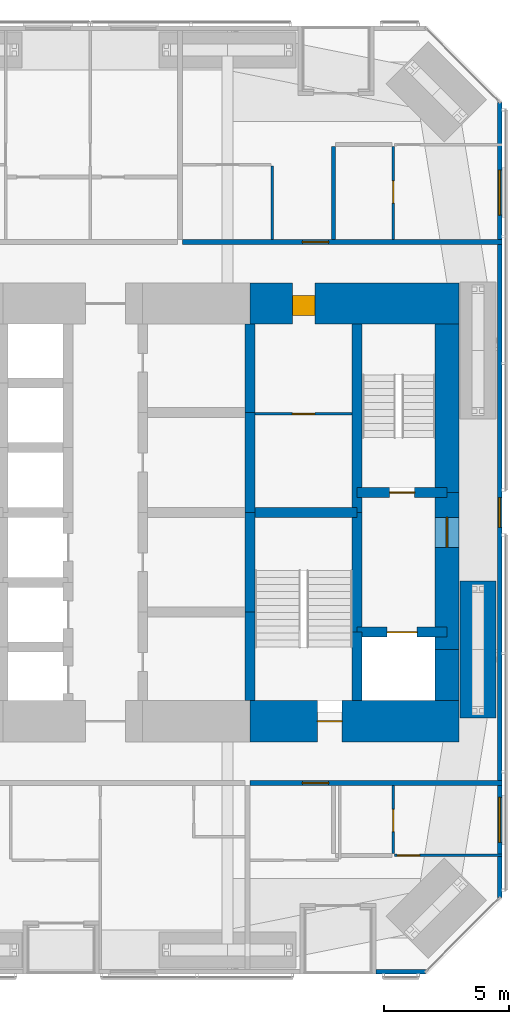
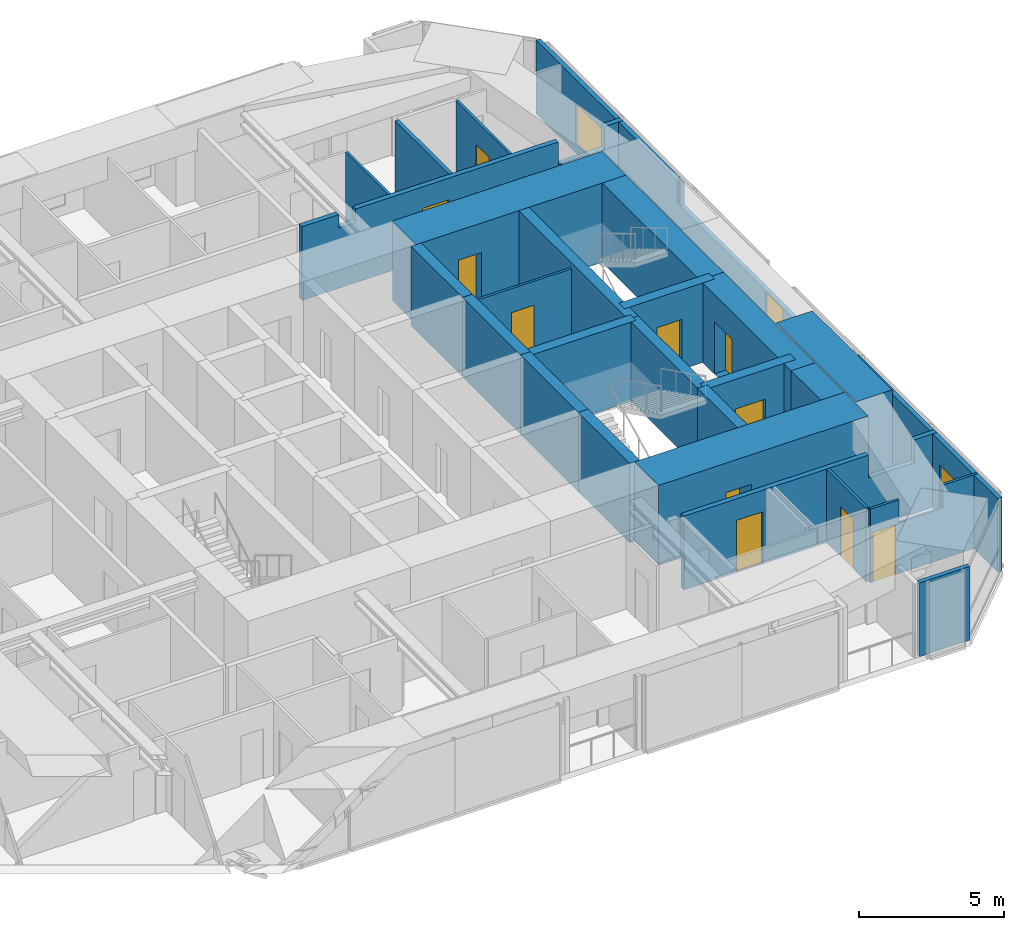
# One storey, part 21 of 24: 26 walls, 11 doors, 3 windows, 14 openings.
"""IFC4 building model written with IfcOpenShell, lengths in metres."""

import ifcopenshell
import ifcopenshell.guid

model = None  # the IFC model being written
_history = None  # IfcOwnerHistory: only IFC2X3 demands one
_inside = {}  # id of a spatial element -> (the spatial element, [elements in it])
_under = {}  # id of a project, library or spatial element -> (it, [spatial elements below it])
_declared = {}  # id of a project -> (the project, [libraries it declares])
_typed = {}  # id of a type object -> (the type object, [elements of that type])
_made_of = {}  # id of a material, layer set ... -> (it, [elements and type objects made of it])


def new_model(schema):
    """Start an empty IFC model of exactly this schema.

    Asked for "IFC4X3", IfcOpenShell would pick the latest addendum, in which some entities
    have other attributes; the version numbers below select the first issue.
    IFC2X3 requires an IfcOwnerHistory on every rooted entity: one is made here for all.
    """
    global model, _history
    if schema == "IFC4X3":
        model = ifcopenshell.file(schema_version=(4, 3, 0, 0))
    else:
        model = ifcopenshell.file(schema=schema)
    _inside.clear()
    _under.clear()
    _declared.clear()
    _typed.clear()
    _made_of.clear()
    _history = None
    if model.schema == "IFC2X3":
        org = make("IfcOrganization", Name="unknown")
        user = make(
            "IfcPersonAndOrganization",
            ThePerson=make("IfcPerson", FamilyName="unknown"),
            TheOrganization=org,
        )
        app = make(
            "IfcApplication",
            ApplicationDeveloper=org,
            Version="unknown",
            ApplicationFullName="unknown",
            ApplicationIdentifier="unknown",
        )
        _history = make(
            "IfcOwnerHistory",
            OwningUser=user,
            OwningApplication=app,
            ChangeAction="ADDED",
            CreationDate=0,
        )
    return model


def make(cls, **values):
    """One entity of the class cls with the attributes given. An attribute that is None is left unset."""
    return model.create_entity(
        cls, **{name: value for name, value in values.items() if value is not None}
    )


def rooted(cls, **values):
    """An entity with a GlobalId (a new one), such as an element, a storey or a relation."""
    return make(cls, GlobalId=ifcopenshell.guid.new(), OwnerHistory=_history, **values)


def si_unit(unit_type, name, prefix=None):
    """IfcSIUnit, for example si_unit("LENGTHUNIT", "METRE", prefix="MILLI")."""
    return make("IfcSIUnit", UnitType=unit_type, Prefix=prefix, Name=name)


def assignment(units):
    """IfcUnitAssignment: the units of a project."""
    return None if units is None else make("IfcUnitAssignment", Units=units)


def point(xyz):
    """IfcCartesianPoint."""
    return None if xyz is None else make("IfcCartesianPoint", Coordinates=xyz)


def direction(xyz):
    """IfcDirection."""
    return None if xyz is None else make("IfcDirection", DirectionRatios=xyz)


def frame(location, z_axis=None, x_axis=None):
    """IfcAxis2Placement3D, a coordinate frame: its origin and axes. An axis left out is left unset."""
    return make(
        "IfcAxis2Placement3D",
        Location=point(location),
        Axis=direction(z_axis),
        RefDirection=direction(x_axis),
    )


def frame_2d(location, x_axis=None):
    """IfcAxis2Placement2D, a coordinate frame in the plane: its origin and x axis."""
    return make(
        "IfcAxis2Placement2D", Location=point(location), RefDirection=direction(x_axis)
    )


def origin():
    """The frame at (0, 0, 0) with its axes left unset."""
    return frame((0.0, 0.0, 0.0))


def place(relative_to, where):
    """IfcLocalPlacement: puts the frame where relative to a parent placement (None: the world)."""
    return make(
        "IfcLocalPlacement", PlacementRelTo=relative_to, RelativePlacement=where
    )


def context(
    kind, dimensions, precision=None, world=None, true_north=None, identifier=None
):
    """IfcGeometricRepresentationContext, for example the 3D "Model" context."""
    return make(
        "IfcGeometricRepresentationContext",
        ContextIdentifier=identifier,
        ContextType=kind,
        CoordinateSpaceDimension=dimensions,
        Precision=precision,
        WorldCoordinateSystem=world,
        TrueNorth=true_north,
    )


def subcontext(parent, identifier, kind, view, scale=None):
    """IfcGeometricRepresentationSubContext, for example "Body" below "Model"."""
    return make(
        "IfcGeometricRepresentationSubContext",
        ContextIdentifier=identifier,
        ContextType=kind,
        ParentContext=parent,
        TargetScale=scale,
        TargetView=view,
    )


def project(units=None, contexts=None):
    """IfcProject with its units and contexts."""
    return rooted(
        "IfcProject",
        Name="project",
        RepresentationContexts=contexts,
        UnitsInContext=assignment(units),
    )


def spatial(cls, under=None, at=None, **own):
    """A site, building, storey or space (cls), placed at a placement, below another one or the project."""
    s = rooted(cls, ObjectPlacement=at, **own)
    if under is not None:
        _under.setdefault(under.id(), (under, []))[1].append(s)
    return s


def polyline(points):
    """IfcPolyline through the points."""
    return make("IfcPolyline", Points=[point(p) for p in points])


def profile(cls, at=None, kind="AREA", **sizes):
    """A parametric profile (cls). Its sizes go by their IFC names, for example OverallWidth=200.0."""
    return make(cls, ProfileType=kind, Position=at, **sizes)


def rectangle(**sizes):
    """IfcRectangleProfileDef."""
    return profile("IfcRectangleProfileDef", **sizes)


def outline(outer, holes=None, kind="AREA"):
    """IfcArbitraryClosedProfileDef: a profile drawn as a closed curve; with holes, ...WithVoids."""
    if holes is None:
        return make("IfcArbitraryClosedProfileDef", ProfileType=kind, OuterCurve=outer)
    return make(
        "IfcArbitraryProfileDefWithVoids",
        ProfileType=kind,
        OuterCurve=outer,
        InnerCurves=holes,
    )


def extrude(swept, where, along, depth):
    """IfcExtrudedAreaSolid: the profile swept, set in the frame where, extruded along a direction by depth."""
    return make(
        "IfcExtrudedAreaSolid",
        SweptArea=swept,
        Position=where,
        ExtrudedDirection=direction(along),
        Depth=depth,
    )


def shape(context_of_items, identifier, shape_type, items):
    """IfcShapeRepresentation: the items that make up one representation, for example the "Body"."""
    return make(
        "IfcShapeRepresentation",
        ContextOfItems=context_of_items,
        RepresentationIdentifier=identifier,
        RepresentationType=shape_type,
        Items=items,
    )


def material(Name=None, Category=None):
    """IfcMaterial."""
    return make("IfcMaterial", Name=Name, Category=Category)


def layer(
    of_material, thickness, ventilated=None, Name=None, Category=None, Priority=None
):
    """IfcMaterialLayer: one layer of a wall or slab, of a material (None: an air gap)."""
    return make(
        "IfcMaterialLayer",
        Material=of_material,
        LayerThickness=thickness,
        IsVentilated=ventilated,
        Name=Name,
        Category=Category,
        Priority=Priority,
    )


def layer_set(layers, Name=None):
    """IfcMaterialLayerSet."""
    return make("IfcMaterialLayerSet", MaterialLayers=layers, LayerSetName=Name)


def constituent(of_material, Name=None, Category=None, fraction=None):
    """IfcMaterialConstituent: one of the materials an element consists of."""
    return make(
        "IfcMaterialConstituent",
        Name=Name,
        Material=of_material,
        Fraction=fraction,
        Category=Category,
    )


def constituent_set(constituents=None, Name=None):
    """IfcMaterialConstituentSet."""
    return make(
        "IfcMaterialConstituentSet", Name=Name, MaterialConstituents=constituents
    )


def made_of(thing, what):
    """Note that an element or type object is made of a material, layer set ...; save() writes the relation."""
    if what is not None:
        _made_of.setdefault(what.id(), (what, []))[1].append(thing)
    return thing


def type_object(cls, material=None, **own):
    """A type object (cls), such as IfcWallType, which elements share."""
    return made_of(rooted(cls, **own), material)


def element(
    cls,
    number,
    at=None,
    inside=None,
    cuts=None,
    type_object=None,
    material=None,
    context=None,
    identifier="Body",
    shape_type=None,
    held_by="IfcProductDefinitionShape",
    body=None,
    shapes=None,
    **own,
):
    """One element of the class cls, such as IfcWall. Its Tag is "e" and its number.

    at: its placement. inside: the storey or other place that contains it. cuts: it is an
    opening in that element (IfcRelVoidsElement). A single representation is given by context,
    identifier, shape_type and body (its items); several are given by shapes. held_by: the class
    of the entity that holds the representations. save() writes the other relations.
    """
    e = rooted(cls, Tag="e%d" % number, ObjectPlacement=at, **own)
    if body is not None:
        shapes = [shape(context, identifier, shape_type, body)]
    if shapes is not None:
        e.Representation = make(held_by, Representations=shapes)
    if inside is not None:
        _inside.setdefault(inside.id(), (inside, []))[1].append(e)
    if cuts is not None:
        rooted(
            "IfcRelVoidsElement", RelatingBuildingElement=cuts, RelatedOpeningElement=e
        )
    if type_object is not None:
        _typed.setdefault(type_object.id(), (type_object, []))[1].append(e)
    return made_of(e, material)


def fill(opening, filler):
    """IfcRelFillsElement: the door or window that sits in an opening."""
    return rooted(
        "IfcRelFillsElement",
        RelatingOpeningElement=opening,
        RelatedBuildingElement=filler,
    )


def aggregate(whole, parts):
    """IfcRelAggregates: a whole, such as a stair, and the parts it consists of."""
    return rooted("IfcRelAggregates", RelatingObject=whole, RelatedObjects=parts)


def save(model, path):
    """Write the relations noted so far, then the file.

    IfcRelAggregates (storeys below a building ...), IfcRelContainedInSpatialStructure (elements
    in a storey), IfcRelDefinesByType, IfcRelAssociatesMaterial and IfcRelDeclares: one each for
    every whole, place, type object, material and project.
    """
    for whole, parts in _under.values():
        aggregate(whole, parts)
    for where, things in _inside.values():
        rooted(
            "IfcRelContainedInSpatialStructure",
            RelatedElements=things,
            RelatingStructure=where,
        )
    for kind, things in _typed.values():
        rooted("IfcRelDefinesByType", RelatedObjects=things, RelatingType=kind)
    for what, things in _made_of.values():
        rooted("IfcRelAssociatesMaterial", RelatedObjects=things, RelatingMaterial=what)
    for by, libraries in _declared.values():
        rooted("IfcRelDeclares", RelatingContext=by, RelatedDefinitions=libraries)
    model.write(path)


model = new_model("IFC4")

# Units and contexts
model_context = context("Model", 3, precision=1e-05, world=origin(), true_north=direction((0.0, 1.0)))
body_context = subcontext(model_context, "Body", "Model", "MODEL_VIEW")
ifc_project = project(units=[si_unit("LENGTHUNIT", "METRE"), si_unit("AREAUNIT", "SQUARE_METRE"), si_unit("VOLUMEUNIT", "CUBIC_METRE"), si_unit("PLANEANGLEUNIT", "RADIAN"), si_unit("MASSUNIT", "GRAM", prefix="KILO")], contexts=[model_context])

# Site, building, storey
site_placement = place(None, origin())
site = spatial("IfcSite", under=ifc_project, at=site_placement, CompositionType="ELEMENT")
building_placement = place(site_placement, origin())
building = spatial("IfcBuilding", under=site, at=building_placement, Name="Jalousie Tower", CompositionType="ELEMENT")
storey_placement = place(building_placement, frame((0.0, 0.0, 54.5)))
storey = spatial("IfcBuildingStorey", under=building, at=storey_placement, Name="L14", CompositionType="ELEMENT", Elevation=54.5)

# Wall
ifc_material_1 = material(Name="Concrete block ASTM C90", Category="concrete")
ifc_constituent_1 = constituent(ifc_material_1, Name="Body")
ifc_material_2 = material(Name="Render")
ifc_constituent_2 = constituent(ifc_material_2, Name="Finish")
ifc_constituent_set_1 = constituent_set(constituents=[ifc_constituent_1, ifc_constituent_2])
wall_type_1 = type_object("IfcWallType", Name="BATHROOM WALL 150", PredefinedType="PLUMBINGWALL", material=ifc_constituent_set_1)
wall_1_placement = place(storey_placement, frame((39.25, 33.17822265625, 0.0), z_axis=(0.0, 0.0, 1.0), x_axis=(0.0, -1.0, 0.0)))
element("IfcWall", 1, at=wall_1_placement, inside=storey, type_object=wall_type_1, Name="Bathroom Wall 150 L14", PredefinedType="PLUMBINGWALL", context=body_context, shape_type="SweptSolid", body=[
    extrude(rectangle(XDim=3.728271484375, YDim=0.14990234375, at=frame_2d((1.8642578125, 0.0))), origin(), (0.0, 0.0, 1.0), 3.110107421875),
])

# Wall, opening, door
ifc_material_3 = material(Name="Concrete f'c 120 MPa", Category="concrete")
ifc_layer_1 = layer(ifc_material_3, 1.64990234375)
ifc_layer_set_1 = layer_set([ifc_layer_1], Name="Concrete f'c 120 MPa")
wall_type_2 = type_object("IfcWallType", Name="CORE WALL 1650", PredefinedType="SHEAR", material=ifc_layer_set_1)
wall_2_placement = place(storey_placement, frame((35.89990234375, 10.125, 0.0), z_axis=(0.0, 0.0, 1.0), x_axis=(1.0, 0.0, 0.0)))
wall_2 = element("IfcWall", 2, at=wall_2_placement, inside=storey, type_object=wall_type_2, Name="Core wall SD L14", PredefinedType="SHEAR", context=body_context, shape_type="SweptSolid", body=[
    extrude(rectangle(XDim=8.375, YDim=1.64990234375, at=frame_2d((4.1875, 0.0))), origin(), (0.0, 0.0, 1.0), 3.35009765625),
])
opening_1_placement = place(wall_2_placement, frame((2.699951171875, 0.0, 0.0)))
opening_1 = element("IfcOpeningElement", 3, at=opening_1_placement, cuts=wall_2, Name="Opening D10", PredefinedType="OPENING", context=body_context, shape_type="SweptSolid", body=[
    extrude(rectangle(XDim=1.0, YDim=2.10009765625, at=frame_2d((0.5, 1.050048828125))), frame((0.0, 0.8349609375, 0.0), z_axis=(0.0, -1.0, 0.0), x_axis=(1.0, 0.0, 0.0)), (0.0, 0.0, 1.0), 1.669921875),
])
ifc_material_4 = material(Name="Steel fire door", Category="steel")
door_type_1 = type_object("IfcDoorType", Name="STAIR DOOR 1000", OperationType="SINGLE_SWING_LEFT", PredefinedType="DOOR", material=ifc_material_4)
door_1_placement = place(opening_1_placement, origin())
door_1 = element("IfcDoor", 4, at=door_1_placement, inside=storey, type_object=door_type_1, Name="Exit stair C door", OperationType="SINGLE_SWING_RIGHT", OverallHeight=2.10009765625, OverallWidth=1.0, PredefinedType="DOOR", context=body_context, shape_type="SweptSolid", body=[
    extrude(rectangle(XDim=1.0, YDim=2.10009765625, at=frame_2d((0.5, 1.050048828125))), frame((0.0, 0.02490234375, 0.0), z_axis=(0.0, -1.0, 0.0), x_axis=(1.0, 0.0, 0.0)), (0.0, 0.0, 1.0), 0.050048828125),
])
fill(opening_1, door_1)

wall_3_placement = place(storey_placement, frame((44.27490234375, 26.875, 0.0), z_axis=(0.0, 0.0, 1.0), x_axis=(-1.0, 0.0, 0.0)))
wall_3 = element("IfcWall", 5, at=wall_3_placement, inside=storey, type_object=wall_type_2, Name="Core wall NA L14", PredefinedType="SHEAR", context=body_context, shape_type="SweptSolid", body=[
    extrude(rectangle(XDim=8.375, YDim=1.64990234375, at=frame_2d((4.1875, 0.0))), origin(), (0.0, 0.0, 1.0), 3.35009765625),
])
opening_2_placement = place(wall_3_placement, frame((5.77490234375, 0.0, 0.0)))
opening_2 = element("IfcOpeningElement", 6, at=opening_2_placement, cuts=wall_3, Name="Opening D26", PredefinedType="OPENING", context=body_context, shape_type="SweptSolid", body=[
    extrude(rectangle(XDim=0.89990234375, YDim=2.10009765625, at=frame_2d((0.449951171875, 1.050048828125))), frame((0.0, 0.8349609375, 0.0), z_axis=(0.0, -1.0, 0.0), x_axis=(1.0, 0.0, 0.0)), (0.0, 0.0, 1.0), 1.669921875),
])
ifc_material_5 = material(Name="Steel fire door", Category="steel")
door_type_2 = type_object("IfcDoorType", Name="HOUSEKEEPING STORE DOOR 900", OperationType="SINGLE_SWING_LEFT", PredefinedType="DOOR", material=ifc_material_5)
door_2_placement = place(opening_2_placement, origin())
door_2 = element("IfcDoor", 7, at=door_2_placement, inside=storey, type_object=door_type_2, Name="Housekeeping store door", OperationType="SINGLE_SWING_RIGHT", OverallHeight=2.10009765625, OverallWidth=0.89990234375, PredefinedType="DOOR", context=body_context, shape_type="SweptSolid", body=[
    extrude(rectangle(XDim=0.89990234375, YDim=2.10009765625, at=frame_2d((0.449951171875, 1.050048828125))), frame((0.0, 0.47021484375, 0.0), z_axis=(0.0, -1.0, 0.0), x_axis=(1.0, 0.0, 0.0)), (0.0, 0.0, 1.0), 0.800048828125),
])
fill(opening_2, door_2)

# Walls
ifc_material_6 = material(Name="Concrete f'c 120 MPa", Category="concrete")
ifc_layer_2 = layer(ifc_material_6, 0.39990234375)
ifc_layer_set_2 = layer_set([ifc_layer_2], Name="Concrete f'c 120 MPa")
wall_type_3 = type_object("IfcWallType", Name="CORE WALL 400", PredefinedType="SHEAR", material=ifc_layer_set_2)
wall_4_placement = place(storey_placement, frame((35.89990234375, 10.949951171875, 0.0), z_axis=(0.0, 0.0, 1.0), x_axis=(0.0, 1.0, 0.0)))
element("IfcWall", 8, at=wall_4_placement, inside=storey, type_object=wall_type_3, Name="Core wall X35.9A L14", PredefinedType="SHEAR", context=body_context, shape_type="SweptSolid", body=[
    extrude(rectangle(XDim=3.550048828125, YDim=0.39990234375, at=frame_2d((1.77490234375, 0.0))), origin(), (0.0, 0.0, 1.0), 3.35009765625),
])
for number, where, z_axis, x_axis, name in (
    (9, (35.89990234375, 14.5, 0.0), (0.0, 0.0, 1.0), (0.0, 1.0, 0.0), "Core wall X35.9B L14"),
    (10, (35.89990234375, 18.5, 0.0), (0.0, 0.0, 1.0), (0.0, 1.0, 0.0), "Core wall X35.9C L14"),
):
    element("IfcWall", number, at=place(storey_placement, frame(where, z_axis=z_axis, x_axis=x_axis)), inside=storey, type_object=wall_type_3, Name=name, PredefinedType="SHEAR", context=body_context, shape_type="SweptSolid", body=[
        extrude(rectangle(XDim=4.0, YDim=0.39990234375, at=frame_2d((2.0, 0.0))), origin(), (0.0, 0.0, 1.0), 3.35009765625),
    ])
wall_5_placement = place(storey_placement, frame((35.89990234375, 22.5, 0.0), z_axis=(0.0, 0.0, 1.0), x_axis=(0.0, 1.0, 0.0)))
element("IfcWall", 11, at=wall_5_placement, inside=storey, type_object=wall_type_3, Name="Core wall X35.9D L14", PredefinedType="SHEAR", context=body_context, shape_type="SweptSolid", body=[
    extrude(rectangle(XDim=3.550048828125, YDim=0.39990234375, at=frame_2d((1.77490234375, 0.0))), origin(), (0.0, 0.0, 1.0), 3.35009765625),
])
wall_6_placement = place(storey_placement, frame((40.199951171875, 10.949951171875, 0.0), z_axis=(0.0, 0.0, 1.0), x_axis=(0.0, 1.0, 0.0)))
element("IfcWall", 12, at=wall_6_placement, inside=storey, type_object=wall_type_3, Name="Core wall X40.2A L14", PredefinedType="SHEAR", context=body_context, shape_type="SweptSolid", body=[
    extrude(rectangle(XDim=2.75, YDim=0.39990234375, at=frame_2d((1.375, 0.0))), origin(), (0.0, 0.0, 1.0), 3.35009765625),
])
wall_7_placement = place(storey_placement, frame((40.199951171875, 13.699951171875, 0.0), z_axis=(0.0, 0.0, 1.0), x_axis=(0.0, 1.0, 0.0)))
element("IfcWall", 13, at=wall_7_placement, inside=storey, type_object=wall_type_3, Name="Core wall X40.2B L14", PredefinedType="SHEAR", context=body_context, shape_type="SweptSolid", body=[
    extrude(rectangle(XDim=4.800048828125, YDim=0.39990234375, at=frame_2d((2.39990234375, 0.0))), origin(), (0.0, 0.0, 1.0), 3.35009765625),
])
wall_8_placement = place(storey_placement, frame((40.199951171875, 18.5, 0.0), z_axis=(0.0, 0.0, 1.0), x_axis=(0.0, 1.0, 0.0)))
element("IfcWall", 14, at=wall_8_placement, inside=storey, type_object=wall_type_3, Name="Core wall X40.2C L14", PredefinedType="SHEAR", context=body_context, shape_type="SweptSolid", body=[
    extrude(rectangle(XDim=7.550048828125, YDim=0.39990234375, at=frame_2d((3.77490234375, 0.0))), origin(), (0.0, 0.0, 1.0), 3.35009765625),
])
wall_9_placement = place(storey_placement, frame((35.89990234375, 18.5, 0.0), z_axis=(0.0, 0.0, 1.0), x_axis=(1.0, 0.0, 0.0)))
element("IfcWall", 15, at=wall_9_placement, inside=storey, type_object=wall_type_3, Name="Core wall Y35.9-18.5 L14", PredefinedType="SHEAR", context=body_context, shape_type="SweptSolid", body=[
    extrude(rectangle(XDim=4.300048828125, YDim=0.39990234375, at=frame_2d((2.14990234375, 0.0))), origin(), (0.0, 0.0, 1.0), 3.35009765625),
])

# Wall, opening, door
wall_10_placement = place(storey_placement, frame((40.199951171875, 13.699951171875, 0.0), z_axis=(0.0, 0.0, 1.0), x_axis=(1.0, 0.0, 0.0)))
wall_10 = element("IfcWall", 16, at=wall_10_placement, inside=storey, type_object=wall_type_3, Name="Core wall Y40.2-13.7 L14", PredefinedType="SHEAR", context=body_context, shape_type="SweptSolid", body=[
    extrude(rectangle(XDim=3.60009765625, YDim=0.39990234375, at=frame_2d((1.800048828125, 0.0))), origin(), (0.0, 0.0, 1.0), 3.35009765625),
])
opening_3_placement = place(wall_10_placement, frame((1.199951171875, 0.0, 0.0)))
opening_3 = element("IfcOpeningElement", 17, at=opening_3_placement, cuts=wall_10, Name="Opening LD2", PredefinedType="OPENING", context=body_context, shape_type="SweptSolid", body=[
    extrude(rectangle(XDim=1.199951171875, YDim=2.10009765625, at=frame_2d((0.60009765625, 1.050048828125))), frame((0.0, 0.2099609375, 0.0), z_axis=(0.0, -1.0, 0.0), x_axis=(1.0, 0.0, 0.0)), (0.0, 0.0, 1.0), 0.419921875),
])
ifc_material_7 = material(Name="Steel lift landing door", Category="steel")
door_type_3 = type_object("IfcDoorType", Name="LIFT LANDING DOOR 1200", OperationType="SLIDING_TO_LEFT", PredefinedType="DOOR", material=ifc_material_7)
door_3_placement = place(opening_3_placement, origin())
door_3 = element("IfcDoor", 18, at=door_3_placement, inside=storey, type_object=door_type_3, Name="Lift F2 landing door", OperationType="SLIDING_TO_LEFT", OverallHeight=2.10009765625, OverallWidth=1.199951171875, PredefinedType="DOOR", context=body_context, shape_type="SweptSolid", body=[
    extrude(rectangle(XDim=1.199951171875, YDim=2.10009765625, at=frame_2d((0.60009765625, 1.050048828125))), frame((0.0, 0.02490234375, 0.0), z_axis=(0.0, -1.0, 0.0), x_axis=(1.0, 0.0, 0.0)), (0.0, 0.0, 1.0), 0.050048828125),
])
fill(opening_3, door_3)

wall_11_placement = place(storey_placement, frame((40.199951171875, 19.300048828125, 0.0), z_axis=(0.0, 0.0, 1.0), x_axis=(1.0, 0.0, 0.0)))
wall_11 = element("IfcWall", 19, at=wall_11_placement, inside=storey, type_object=wall_type_3, Name="Core wall Y40.2-19.3 L14", PredefinedType="SHEAR", context=body_context, shape_type="SweptSolid", body=[
    extrude(rectangle(XDim=3.60009765625, YDim=0.39990234375, at=frame_2d((1.800048828125, 0.0))), origin(), (0.0, 0.0, 1.0), 3.35009765625),
])
opening_4_placement = place(wall_11_placement, frame((1.300048828125, 0.0, 0.0)))
opening_4 = element("IfcOpeningElement", 20, at=opening_4_placement, cuts=wall_11, Name="Opening D10", PredefinedType="OPENING", context=body_context, shape_type="SweptSolid", body=[
    extrude(rectangle(XDim=1.0, YDim=2.10009765625, at=frame_2d((0.5, 1.050048828125))), frame((0.0, 0.2099609375, 0.0), z_axis=(0.0, -1.0, 0.0), x_axis=(1.0, 0.0, 0.0)), (0.0, 0.0, 1.0), 0.419921875),
])
door_4_placement = place(opening_4_placement, origin())
door_4 = element("IfcDoor", 21, at=door_4_placement, inside=storey, type_object=door_type_1, Name="Exit stair B door", OperationType="SINGLE_SWING_RIGHT", OverallHeight=2.10009765625, OverallWidth=1.0, PredefinedType="DOOR", context=body_context, shape_type="SweptSolid", body=[
    extrude(rectangle(XDim=1.0, YDim=2.10009765625, at=frame_2d((0.5, 1.050048828125))), frame((0.0, 0.02490234375, 0.0), z_axis=(0.0, -1.0, 0.0), x_axis=(1.0, 0.0, 0.0)), (0.0, 0.0, 1.0), 0.050048828125),
])
fill(opening_4, door_4)

# Wall
ifc_material_8 = material(Name="Concrete f'c 120 MPa", Category="concrete")
ifc_layer_3 = layer(ifc_material_8, 0.949951171875)
ifc_layer_set_3 = layer_set([ifc_layer_3], Name="Concrete f'c 120 MPa")
wall_type_4 = type_object("IfcWallType", Name="CORE WALL 950", PredefinedType="SHEAR", material=ifc_layer_set_3)
wall_12_placement = place(storey_placement, frame((43.800048828125, 10.949951171875, 0.0), z_axis=(0.0, 0.0, 1.0), x_axis=(0.0, 1.0, 0.0)))
element("IfcWall", 22, at=wall_12_placement, inside=storey, type_object=wall_type_4, Name="Core wall EA L14", PredefinedType="SHEAR", context=body_context, shape_type="SweptSolid", body=[
    extrude(rectangle(XDim=2.050048828125, YDim=0.949951171875, at=frame_2d((1.02490234375, 0.0))), origin(), (0.0, 0.0, 1.0), 3.35009765625),
])

# Wall, opening, door
wall_13_placement = place(storey_placement, frame((43.800048828125, 13.0, 0.0), z_axis=(0.0, 0.0, 1.0), x_axis=(0.0, 1.0, 0.0)))
wall_13 = element("IfcWall", 23, at=wall_13_placement, inside=storey, type_object=wall_type_4, Name="Core wall EB L14", PredefinedType="SHEAR", context=body_context, shape_type="SweptSolid", body=[
    extrude(rectangle(XDim=6.300048828125, YDim=0.949951171875, at=frame_2d((3.14990234375, 0.0))), origin(), (0.0, 0.0, 1.0), 3.35009765625),
])
opening_5_placement = place(wall_13_placement, frame((4.10009765625, 0.0, 0.0)))
opening_5 = element("IfcOpeningElement", 24, at=opening_5_placement, cuts=wall_13, Name="Opening D11", PredefinedType="OPENING", context=body_context, shape_type="SweptSolid", body=[
    extrude(rectangle(XDim=1.199951171875, YDim=2.199951171875, at=frame_2d((0.60009765625, 1.10009765625))), frame((0.0, 0.48486328125, 0.0), z_axis=(0.0, -1.0, 0.0), x_axis=(1.0, 0.0, 0.0)), (0.0, 0.0, 1.0), 0.969970703125),
])
ifc_material_9 = material(Name="Steel fire door", Category="steel")
door_type_4 = type_object("IfcDoorType", Name="FIRE DOOR 1200", OperationType="SINGLE_SWING_LEFT", PredefinedType="DOOR", material=ifc_material_9)
door_5_placement = place(opening_5_placement, origin())
door_5 = element("IfcDoor", 25, at=door_5_placement, inside=storey, type_object=door_type_4, Name="Fire-fighting lobby B door", OperationType="SINGLE_SWING_RIGHT", OverallHeight=2.199951171875, OverallWidth=1.199951171875, PredefinedType="DOOR", context=body_context, shape_type="SweptSolid", body=[
    extrude(rectangle(XDim=1.199951171875, YDim=2.199951171875, at=frame_2d((0.60009765625, 1.10009765625))), frame((0.0, 0.02490234375, 0.0), z_axis=(0.0, -1.0, 0.0), x_axis=(1.0, 0.0, 0.0)), (0.0, 0.0, 1.0), 0.050048828125),
])
fill(opening_5, door_5)

# Wall
wall_14_placement = place(storey_placement, frame((43.800048828125, 19.300048828125, 0.0), z_axis=(0.0, 0.0, 1.0), x_axis=(0.0, 1.0, 0.0)))
element("IfcWall", 26, at=wall_14_placement, inside=storey, type_object=wall_type_4, Name="Core wall EC L14", PredefinedType="SHEAR", context=body_context, shape_type="SweptSolid", body=[
    extrude(rectangle(XDim=6.75, YDim=0.949951171875, at=frame_2d((3.375, 0.0))), origin(), (0.0, 0.0, 1.0), 3.35009765625),
])

# Wall, opening, door
ifc_material_10 = material(Name="Concrete block ASTM C90", Category="concrete")
ifc_constituent_3 = constituent(ifc_material_10, Name="Body")
ifc_material_11 = material(Name="Render")
ifc_constituent_4 = constituent(ifc_material_11, Name="Finish")
ifc_constituent_set_2 = constituent_set(constituents=[ifc_constituent_3, ifc_constituent_4])
wall_type_5 = type_object("IfcWallType", Name="CORRIDOR WALL 200", PredefinedType="PARTITIONING", material=ifc_constituent_set_2)
wall_15_placement = place(storey_placement, frame((35.89990234375, 7.64990234375, 0.0), z_axis=(0.0, 0.0, 1.0), x_axis=(1.0, 0.0, 0.0)))
wall_15 = element("IfcWall", 27, at=wall_15_placement, inside=storey, type_object=wall_type_5, Name="Corridor Wall 200 L14", PredefinedType="PARTITIONING", context=body_context, shape_type="SweptSolid", body=[
    extrude(outline(polyline([(0.0, 0.0), (10.10009765625, 0.0), (10.10009765625, 3.110107421875), (9.204345703125, 3.110107421875), (9.204345703125, 2.14990234375), (7.360595703125, 2.14990234375), (7.360595703125, 3.110107421875), (0.0, 3.110107421875), (0.0, 0.0)])), frame((0.0, 0.10009765625, 0.0), z_axis=(0.0, -1.0, 0.0), x_axis=(1.0, 0.0, 0.0)), (0.0, 0.0, 1.0), 0.199951171875),
])
opening_6_placement = place(wall_15_placement, frame((2.10009765625, 0.0, 0.0)))
opening_6 = element("IfcOpeningElement", 28, at=opening_6_placement, cuts=wall_15, Name="Opening D1", PredefinedType="OPENING", context=body_context, shape_type="SweptSolid", body=[
    extrude(rectangle(XDim=1.050048828125, YDim=2.199951171875, at=frame_2d((0.52490234375, 1.10009765625))), frame((0.0, 0.10986328125, 0.0), z_axis=(0.0, -1.0, 0.0), x_axis=(1.0, 0.0, 0.0)), (0.0, 0.0, 1.0), 0.219970703125),
])
ifc_material_12 = material(Name="Timber fire door", Category="wood")
door_type_5 = type_object("IfcDoorType", Name="APARTMENT ENTRANCE DOOR 1050", OperationType="SINGLE_SWING_LEFT", PredefinedType="DOOR", material=ifc_material_12)
door_6_placement = place(opening_6_placement, frame((1.050048828125, 0.0, 0.0), z_axis=(0.0, 0.0, 1.0), x_axis=(-1.0, 0.0, 0.0)))
door_6 = element("IfcDoor", 29, at=door_6_placement, inside=storey, type_object=door_type_5, Name="Apartment 1402 entrance", OperationType="SINGLE_SWING_LEFT", OverallHeight=2.199951171875, OverallWidth=1.050048828125, PredefinedType="DOOR", context=body_context, shape_type="SweptSolid", body=[
    extrude(rectangle(XDim=1.050048828125, YDim=2.199951171875, at=frame_2d((0.52490234375, 1.10009765625))), frame((0.0, 0.02490234375, 0.0), z_axis=(0.0, -1.0, 0.0), x_axis=(1.0, 0.0, 0.0)), (0.0, 0.0, 1.0), 0.050048828125),
])
fill(opening_6, door_6)

wall_16_placement = place(storey_placement, frame((33.199951171875, 29.35009765625, 0.0), z_axis=(0.0, 0.0, 1.0), x_axis=(1.0, 0.0, 0.0)))
wall_16 = element("IfcWall", 30, at=wall_16_placement, inside=storey, type_object=wall_type_5, Name="Corridor Wall 200 L14", PredefinedType="PARTITIONING", context=body_context, shape_type="SweptSolid", body=[
    extrude(outline(polyline([(0.0, 0.0), (12.800048828125, 0.0), (12.800048828125, 3.110107421875), (12.06640625, 3.110107421875), (12.06640625, 2.14990234375), (10.22265625, 2.14990234375), (10.22265625, 3.110107421875), (2.13720703125, 3.110107421875), (2.13720703125, 2.541015625), (1.462646484375, 2.541015625), (1.462646484375, 3.110107421875), (0.0, 3.110107421875), (0.0, 0.0)])), frame((0.0, 0.10009765625, 0.0), z_axis=(0.0, -1.0, 0.0), x_axis=(1.0, 0.0, 0.0)), (0.0, 0.0, 1.0), 0.199951171875),
])
opening_7_placement = place(wall_16_placement, frame((4.800048828125, 0.0, 0.0)))
opening_7 = element("IfcOpeningElement", 31, at=opening_7_placement, cuts=wall_16, Name="Opening D1", PredefinedType="OPENING", context=body_context, shape_type="SweptSolid", body=[
    extrude(rectangle(XDim=1.050048828125, YDim=2.199951171875, at=frame_2d((0.52490234375, 1.10009765625))), frame((0.0, 0.10986328125, 0.0), z_axis=(0.0, -1.0, 0.0), x_axis=(1.0, 0.0, 0.0)), (0.0, 0.0, 1.0), 0.219970703125),
])
door_7_placement = place(opening_7_placement, origin())
door_7 = element("IfcDoor", 32, at=door_7_placement, inside=storey, type_object=door_type_5, Name="Apartment 1404 entrance", OperationType="SINGLE_SWING_RIGHT", OverallHeight=2.199951171875, OverallWidth=1.050048828125, PredefinedType="DOOR", context=body_context, shape_type="SweptSolid", body=[
    extrude(rectangle(XDim=1.050048828125, YDim=2.199951171875, at=frame_2d((0.52490234375, 1.10009765625))), frame((0.0, 0.02490234375, 0.0), z_axis=(0.0, -1.0, 0.0), x_axis=(1.0, 0.0, 0.0)), (0.0, 0.0, 1.0), 0.050048828125),
])
fill(opening_7, door_7)

# Wall
ifc_material_13 = material(Name="Concrete f'c 40 MPa", Category="concrete")
ifc_constituent_5 = constituent(ifc_material_13, Name="Body")
ifc_material_14 = material(Name="Render, pastel coral")
ifc_constituent_6 = constituent(ifc_material_14, Name="Finish")
ifc_constituent_set_3 = constituent_set(constituents=[ifc_constituent_5, ifc_constituent_6])
wall_type_6 = type_object("IfcWallType", Name="EXTERNAL WALL 175 CORAL RENDER", PredefinedType="SOLIDWALL", material=ifc_constituent_set_3)
wall_17_placement = place(storey_placement, frame((40.949951171875, 0.08740234375, 0.0), z_axis=(0.0, 0.0, 1.0), x_axis=(1.0, 0.0, 0.0)))
element("IfcWall", 33, at=wall_17_placement, inside=storey, type_object=wall_type_6, Name="External Wall 175 Coral Render L14", PredefinedType="SOLIDWALL", context=body_context, shape_type="SweptSolid", body=[
    extrude(rectangle(XDim=1.998779296875, YDim=0.175048828125, at=frame_2d((0.99951171875, 0.0))), origin(), (0.0, 0.0, 1.0), 3.110107421875),
])

# Wall, openings, windows
wall_18_placement = place(storey_placement, frame((45.91259765625, 3.05126953125, 0.0), z_axis=(0.0, 0.0, 1.0), x_axis=(0.0, 1.0, 0.0)))
wall_18 = element("IfcWall", 34, at=wall_18_placement, inside=storey, type_object=wall_type_6, Name="External Wall 175 Coral Render L14", PredefinedType="SOLIDWALL", context=body_context, shape_type="SweptSolid", body=[
    extrude(outline(polyline([(0.0, 0.0), (31.8974609375, 0.0), (31.8974609375, 3.110107421875), (22.167236328125, 3.110107421875), (22.167236328125, 2.14990234375), (22.074462890625, 2.14990234375), (22.074462890625, 3.110107421875), (21.94873046875, 3.110107421875), (21.94873046875, 2.14990234375), (9.94873046875, 2.14990234375), (9.94873046875, 3.110107421875), (9.822998046875, 3.110107421875), (9.822998046875, 2.14990234375), (9.72998046875, 2.14990234375), (9.72998046875, 3.110107421875), (0.0, 3.110107421875), (0.0, 0.0)])), frame((0.0, 0.08740234375, 0.0), z_axis=(0.0, -1.0, 0.0), x_axis=(1.0, 0.0, 0.0)), (0.0, 0.0, 1.0), 0.175048828125),
])
opening_8_placement = place(wall_18_placement, frame((2.22216796875, 0.0, 0.39990234375)))
opening_8 = element("IfcOpeningElement", 35, at=opening_8_placement, cuts=wall_18, Name="Opening W-BED170", PredefinedType="OPENING", context=body_context, shape_type="SweptSolid", body=[
    extrude(rectangle(XDim=1.800048828125, YDim=1.699951171875, at=frame_2d((0.89990234375, 0.85009765625))), frame((0.0, 0.097412109375, 0.0), z_axis=(0.0, -1.0, 0.0), x_axis=(1.0, 0.0, 0.0)), (0.0, 0.0, 1.0), 0.195068359375),
])
opening_9_placement = place(wall_18_placement, frame((14.8486328125, 0.0, 0.39990234375)))
opening_9 = element("IfcOpeningElement", 36, at=opening_9_placement, cuts=wall_18, Name="Opening W-COR170", PredefinedType="OPENING", context=body_context, shape_type="SweptSolid", body=[
    extrude(rectangle(XDim=1.199951171875, YDim=1.699951171875, at=frame_2d((0.60009765625, 0.85009765625))), frame((0.0, 0.097412109375, 0.0), z_axis=(0.0, -1.0, 0.0), x_axis=(1.0, 0.0, 0.0)), (0.0, 0.0, 1.0), 0.195068359375),
])
opening_10_placement = place(wall_18_placement, frame((27.37548828125, 0.0, 0.39990234375)))
opening_10 = element("IfcOpeningElement", 37, at=opening_10_placement, cuts=wall_18, Name="Opening W-BED170", PredefinedType="OPENING", context=body_context, shape_type="SweptSolid", body=[
    extrude(rectangle(XDim=1.800048828125, YDim=1.699951171875, at=frame_2d((0.89990234375, 0.85009765625))), frame((0.0, 0.097412109375, 0.0), z_axis=(0.0, -1.0, 0.0), x_axis=(1.0, 0.0, 0.0)), (0.0, 0.0, 1.0), 0.195068359375),
])
ifc_material_15 = material(Name="Aluminium frame, impact-rated glazing", Category="aluminium")
window_type_1 = type_object("IfcWindowType", Name="WINDOW BED 1800x1700", PartitioningType="SINGLE_PANEL", PredefinedType="WINDOW", material=ifc_material_15)
window_1_placement = place(opening_8_placement, origin())
window_1 = element("IfcWindow", 38, at=window_1_placement, inside=storey, type_object=window_type_1, Name="Apartment 1402 bedroom 1 window", OverallHeight=1.699951171875, OverallWidth=1.800048828125, PartitioningType="SINGLE_PANEL", PredefinedType="WINDOW", context=body_context, shape_type="SweptSolid", body=[
    extrude(rectangle(XDim=1.800048828125, YDim=1.699951171875, at=frame_2d((0.89990234375, 0.85009765625))), frame((0.0, 0.030029296875, 0.0), z_axis=(0.0, -1.0, 0.0), x_axis=(1.0, 0.0, 0.0)), (0.0, 0.0, 1.0), 0.06005859375),
])
fill(opening_8, window_1)
window_2_placement = place(opening_10_placement, origin())
window_2 = element("IfcWindow", 39, at=window_2_placement, inside=storey, type_object=window_type_1, Name="Apartment 1404 bedroom 1 window", OverallHeight=1.699951171875, OverallWidth=1.800048828125, PartitioningType="SINGLE_PANEL", PredefinedType="WINDOW", context=body_context, shape_type="SweptSolid", body=[
    extrude(rectangle(XDim=1.800048828125, YDim=1.699951171875, at=frame_2d((0.89990234375, 0.85009765625))), frame((0.0, 0.030029296875, 0.0), z_axis=(0.0, -1.0, 0.0), x_axis=(1.0, 0.0, 0.0)), (0.0, 0.0, 1.0), 0.06005859375),
])
fill(opening_10, window_2)
ifc_material_16 = material(Name="Aluminium frame, impact-rated glazing", Category="aluminium")
window_type_2 = type_object("IfcWindowType", Name="WINDOW COR 1200x1700", PartitioningType="SINGLE_PANEL", PredefinedType="WINDOW", material=ifc_material_16)
window_3_placement = place(opening_9_placement, origin())
window_3 = element("IfcWindow", 40, at=window_3_placement, inside=storey, type_object=window_type_2, Name="Corridor window", OverallHeight=1.699951171875, OverallWidth=1.199951171875, PartitioningType="SINGLE_PANEL", PredefinedType="WINDOW", context=body_context, shape_type="SweptSolid", body=[
    extrude(rectangle(XDim=1.199951171875, YDim=1.699951171875, at=frame_2d((0.60009765625, 0.85009765625))), frame((0.0, 0.030029296875, 0.0), z_axis=(0.0, -1.0, 0.0), x_axis=(1.0, 0.0, 0.0)), (0.0, 0.0, 1.0), 0.06005859375),
])
fill(opening_9, window_3)

# Wall, opening, door
ifc_material_17 = material(Name="Gypsum board", Category="gypsum")
ifc_constituent_7 = constituent(ifc_material_17, Name="Body")
ifc_material_18 = material(Name="Light-gauge steel studs ASTM A653 SS Grade 33", Category="steel")
ifc_constituent_8 = constituent(ifc_material_18, Name="Framing")
ifc_constituent_set_4 = constituent_set(constituents=[ifc_constituent_7, ifc_constituent_8])
wall_type_7 = type_object("IfcWallType", Name="PARTITION 100", PredefinedType="PARTITIONING", material=ifc_constituent_set_4)
wall_19_placement = place(storey_placement, frame((41.64990234375, 4.82177734375, 0.0), z_axis=(0.0, 0.0, 1.0), x_axis=(0.0, 1.0, 0.0)))
wall_19 = element("IfcWall", 41, at=wall_19_placement, inside=storey, type_object=wall_type_7, Name="Partition 100 L14", PredefinedType="PARTITIONING", context=body_context, shape_type="SweptSolid", body=[
    extrude(rectangle(XDim=2.728271484375, YDim=0.10009765625, at=frame_2d((1.3642578125, 0.0))), origin(), (0.0, 0.0, 1.0), 3.110107421875),
])
opening_11_placement = place(wall_19_placement, frame((0.876708984375, 0.0, 0.0)))
opening_11 = element("IfcOpeningElement", 42, at=opening_11_placement, cuts=wall_19, Name="Opening D3", PredefinedType="OPENING", context=body_context, shape_type="SweptSolid", body=[
    extrude(rectangle(XDim=0.89990234375, YDim=2.10009765625, at=frame_2d((0.449951171875, 1.050048828125))), frame((0.0, 0.06005859375, 0.0), z_axis=(0.0, -1.0, 0.0), x_axis=(1.0, 0.0, 0.0)), (0.0, 0.0, 1.0), 0.1201171875),
])
ifc_material_19 = material(Name="Timber door", Category="wood")
door_type_6 = type_object("IfcDoorType", Name="BATHROOM DOOR 900", OperationType="SINGLE_SWING_LEFT", PredefinedType="DOOR", material=ifc_material_19)
door_8_placement = place(opening_11_placement, origin())
door_8 = element("IfcDoor", 43, at=door_8_placement, inside=storey, type_object=door_type_6, Name="Apartment 1402 bedroom 1 bathroom door", OperationType="SINGLE_SWING_LEFT", OverallHeight=2.10009765625, OverallWidth=0.89990234375, PredefinedType="DOOR", context=body_context, shape_type="SweptSolid", body=[
    extrude(rectangle(XDim=0.89990234375, YDim=2.10009765625, at=frame_2d((0.449951171875, 1.050048828125))), frame((0.0, 0.02490234375, 0.0), z_axis=(0.0, -1.0, 0.0), x_axis=(1.0, 0.0, 0.0)), (0.0, 0.0, 1.0), 0.050048828125),
])
fill(opening_11, door_8)

wall_20_placement = place(storey_placement, frame((41.699951171875, 4.74658203125, 0.0), z_axis=(0.0, 0.0, 1.0), x_axis=(1.0, 0.0, 0.0)))
wall_20 = element("IfcWall", 44, at=wall_20_placement, inside=storey, type_object=wall_type_7, Name="Partition 100 L14", PredefinedType="PARTITIONING", context=body_context, shape_type="SweptSolid", body=[
    extrude(outline(polyline([(0.0, 0.0), (4.300048828125, 0.0), (4.300048828125, 3.110107421875), (2.8828125, 3.110107421875), (2.8828125, 2.14990234375), (1.140380859375, 2.14990234375), (1.140380859375, 3.110107421875), (0.0, 3.110107421875), (0.0, 0.0)])), frame((0.0, 0.050048828125, 0.0), z_axis=(0.0, -1.0, 0.0), x_axis=(1.0, 0.0, 0.0)), (0.0, 0.0, 1.0), 0.10009765625),
])
opening_12_placement = place(wall_20_placement, frame((0.10009765625, 0.0, 0.0)))
opening_12 = element("IfcOpeningElement", 45, at=opening_12_placement, cuts=wall_20, Name="Opening D2", PredefinedType="OPENING", context=body_context, shape_type="SweptSolid", body=[
    extrude(rectangle(XDim=0.89990234375, YDim=2.10009765625, at=frame_2d((0.449951171875, 1.050048828125))), frame((0.0, 0.06005859375, 0.0), z_axis=(0.0, -1.0, 0.0), x_axis=(1.0, 0.0, 0.0)), (0.0, 0.0, 1.0), 0.1201171875),
])
ifc_material_20 = material(Name="Timber door", Category="wood")
door_type_7 = type_object("IfcDoorType", Name="BEDROOM DOOR 900", OperationType="SINGLE_SWING_LEFT", PredefinedType="DOOR", material=ifc_material_20)
door_9_placement = place(opening_12_placement, origin())
door_9 = element("IfcDoor", 46, at=door_9_placement, inside=storey, type_object=door_type_7, Name="Apartment 1402 bedroom 1 door", OperationType="SINGLE_SWING_LEFT", OverallHeight=2.10009765625, OverallWidth=0.89990234375, PredefinedType="DOOR", context=body_context, shape_type="SweptSolid", body=[
    extrude(rectangle(XDim=0.89990234375, YDim=2.10009765625, at=frame_2d((0.449951171875, 1.050048828125))), frame((0.0, 0.02490234375, 0.0), z_axis=(0.0, -1.0, 0.0), x_axis=(1.0, 0.0, 0.0)), (0.0, 0.0, 1.0), 0.050048828125),
])
fill(opening_12, door_9)

wall_21_placement = place(storey_placement, frame((41.64990234375, 33.17822265625, 0.0), z_axis=(0.0, 0.0, 1.0), x_axis=(0.0, -1.0, 0.0)))
wall_21 = element("IfcWall", 47, at=wall_21_placement, inside=storey, type_object=wall_type_7, Name="Partition 100 L14", PredefinedType="PARTITIONING", context=body_context, shape_type="SweptSolid", body=[
    extrude(rectangle(XDim=3.728271484375, YDim=0.10009765625, at=frame_2d((1.8642578125, 0.0))), origin(), (0.0, 0.0, 1.0), 3.110107421875),
])
opening_13_placement = place(wall_21_placement, frame((1.376708984375, 0.0, 0.0)))
opening_13 = element("IfcOpeningElement", 48, at=opening_13_placement, cuts=wall_21, Name="Opening D3", PredefinedType="OPENING", context=body_context, shape_type="SweptSolid", body=[
    extrude(rectangle(XDim=0.89990234375, YDim=2.10009765625, at=frame_2d((0.449951171875, 1.050048828125))), frame((0.0, 0.06005859375, 0.0), z_axis=(0.0, -1.0, 0.0), x_axis=(1.0, 0.0, 0.0)), (0.0, 0.0, 1.0), 0.1201171875),
])
door_10_placement = place(opening_13_placement, frame((0.89990234375, 0.0, 0.0), z_axis=(0.0, 0.0, 1.0), x_axis=(-1.0, 0.0, 0.0)))
door_10 = element("IfcDoor", 49, at=door_10_placement, inside=storey, type_object=door_type_6, Name="Apartment 1404 bedroom 1 bathroom door", OperationType="SINGLE_SWING_RIGHT", OverallHeight=2.10009765625, OverallWidth=0.89990234375, PredefinedType="DOOR", context=body_context, shape_type="SweptSolid", body=[
    extrude(rectangle(XDim=0.89990234375, YDim=2.10009765625, at=frame_2d((0.449951171875, 1.050048828125))), frame((0.0, 0.02490234375, 0.0), z_axis=(0.0, -1.0, 0.0), x_axis=(1.0, 0.0, 0.0)), (0.0, 0.0, 1.0), 0.050048828125),
])
fill(opening_13, door_10)

# Wall
wall_22_placement = place(storey_placement, frame((36.800048828125, 32.39990234375, 0.0), z_axis=(0.0, 0.0, 1.0), x_axis=(0.0, -1.0, 0.0)))
element("IfcWall", 50, at=wall_22_placement, inside=storey, type_object=wall_type_7, Name="Partition 100 L14", PredefinedType="PARTITIONING", context=body_context, shape_type="SweptSolid", body=[
    extrude(rectangle(XDim=2.949951171875, YDim=0.10009765625, at=frame_2d((1.47509765625, 0.0))), origin(), (0.0, 0.0, 1.0), 3.110107421875),
])

# Wall, opening, door
wall_23_placement = place(storey_placement, frame((36.10009765625, 22.449951171875, 0.0), z_axis=(0.0, 0.0, 1.0), x_axis=(1.0, 0.0, 0.0)))
wall_23 = element("IfcWall", 51, at=wall_23_placement, inside=storey, type_object=wall_type_7, Name="Partition 100 L14", PredefinedType="PARTITIONING", context=body_context, shape_type="SweptSolid", body=[
    extrude(rectangle(XDim=3.89990234375, YDim=0.10009765625, at=frame_2d((1.949951171875, 0.0))), origin(), (0.0, 0.0, 1.0), 3.110107421875),
])
opening_14_placement = place(wall_23_placement, frame((1.5, 0.0, 0.0)))
opening_14 = element("IfcOpeningElement", 52, at=opening_14_placement, cuts=wall_23, Name="Opening D7", PredefinedType="OPENING", context=body_context, shape_type="SweptSolid", body=[
    extrude(rectangle(XDim=0.89990234375, YDim=2.10009765625, at=frame_2d((0.449951171875, 1.050048828125))), frame((0.0, 0.06005859375, 0.0), z_axis=(0.0, -1.0, 0.0), x_axis=(1.0, 0.0, 0.0)), (0.0, 0.0, 1.0), 0.1201171875),
])
ifc_material_21 = material(Name="Timber door", Category="wood")
door_type_8 = type_object("IfcDoorType", Name="INTERNAL DOOR 900", OperationType="SINGLE_SWING_LEFT", PredefinedType="DOOR", material=ifc_material_21)
door_11_placement = place(opening_14_placement, origin())
door_11 = element("IfcDoor", 53, at=door_11_placement, inside=storey, type_object=door_type_8, Name="Linen store door", OperationType="SINGLE_SWING_RIGHT", OverallHeight=2.10009765625, OverallWidth=0.89990234375, PredefinedType="DOOR", context=body_context, shape_type="SweptSolid", body=[
    extrude(rectangle(XDim=0.89990234375, YDim=2.10009765625, at=frame_2d((0.449951171875, 1.050048828125))), frame((0.0, 0.02490234375, 0.0), z_axis=(0.0, -1.0, 0.0), x_axis=(1.0, 0.0, 0.0)), (0.0, 0.0, 1.0), 0.050048828125),
])
fill(opening_14, door_11)

# Wall
ifc_material_22 = material(Name="Concrete f'c 120 MPa", Category="concrete")
ifc_layer_4 = layer(ifc_material_22, 1.449951171875)
ifc_layer_set_4 = layer_set([ifc_layer_4], Name="Concrete f'c 120 MPa")
wall_type_8 = type_object("IfcWallType", Name="RC WALL PIER 1450", PredefinedType="SHEAR", material=ifc_layer_set_4)
wall_24_placement = place(storey_placement, frame((45.050048828125, 10.25, 0.0), z_axis=(0.0, 0.0, 1.0), x_axis=(0.0, 1.0, 0.0)))
element("IfcWall", 54, at=wall_24_placement, inside=storey, type_object=wall_type_8, Name="Wall pier 06 L14", PredefinedType="SHEAR", context=body_context, shape_type="SweptSolid", body=[
    extrude(rectangle(XDim=5.5, YDim=1.449951171875, at=frame_2d((2.75, 0.0))), origin(), (0.0, 0.0, 1.0), 3.35009765625),
])

save(model, "model.ifc")
